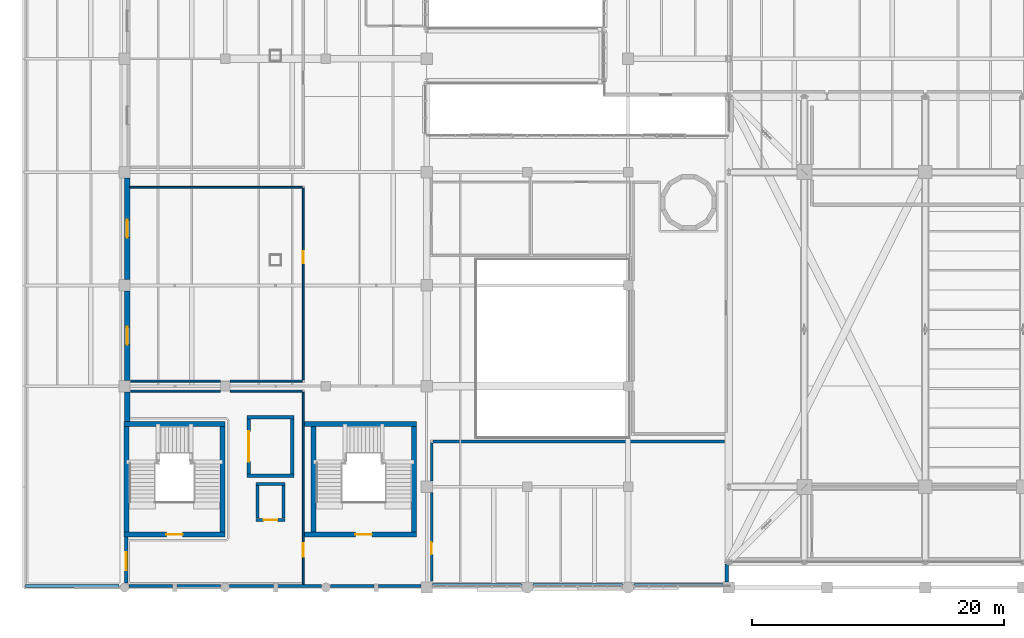
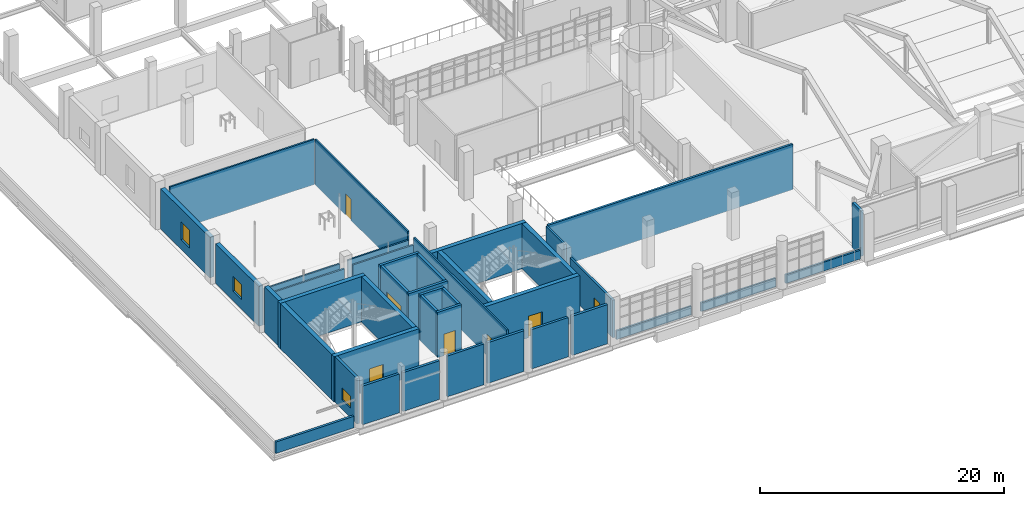
# One storey, part 109 of 127: 41 walls, 7 doors, 3 windows, 10 openings.
"""IFC4 building model written with IfcOpenShell, lengths in metres."""

import ifcopenshell
import ifcopenshell.guid

model = None  # the IFC model being written
_history = None  # IfcOwnerHistory: only IFC2X3 demands one
_inside = {}  # id of a spatial element -> (the spatial element, [elements in it])
_under = {}  # id of a project, library or spatial element -> (it, [spatial elements below it])
_declared = {}  # id of a project -> (the project, [libraries it declares])
_typed = {}  # id of a type object -> (the type object, [elements of that type])
_made_of = {}  # id of a material, layer set ... -> (it, [elements and type objects made of it])


def new_model(schema):
    """Start an empty IFC model of exactly this schema.

    Asked for "IFC4X3", IfcOpenShell would pick the latest addendum, in which some entities
    have other attributes; the version numbers below select the first issue.
    IFC2X3 requires an IfcOwnerHistory on every rooted entity: one is made here for all.
    """
    global model, _history
    if schema == "IFC4X3":
        model = ifcopenshell.file(schema_version=(4, 3, 0, 0))
    else:
        model = ifcopenshell.file(schema=schema)
    _inside.clear()
    _under.clear()
    _declared.clear()
    _typed.clear()
    _made_of.clear()
    _history = None
    if model.schema == "IFC2X3":
        org = make("IfcOrganization", Name="unknown")
        user = make(
            "IfcPersonAndOrganization",
            ThePerson=make("IfcPerson", FamilyName="unknown"),
            TheOrganization=org,
        )
        app = make(
            "IfcApplication",
            ApplicationDeveloper=org,
            Version="unknown",
            ApplicationFullName="unknown",
            ApplicationIdentifier="unknown",
        )
        _history = make(
            "IfcOwnerHistory",
            OwningUser=user,
            OwningApplication=app,
            ChangeAction="ADDED",
            CreationDate=0,
        )
    return model


def make(cls, **values):
    """One entity of the class cls with the attributes given. An attribute that is None is left unset."""
    return model.create_entity(
        cls, **{name: value for name, value in values.items() if value is not None}
    )


def rooted(cls, **values):
    """An entity with a GlobalId (a new one), such as an element, a storey or a relation."""
    return make(cls, GlobalId=ifcopenshell.guid.new(), OwnerHistory=_history, **values)


def si_unit(unit_type, name, prefix=None):
    """IfcSIUnit, for example si_unit("LENGTHUNIT", "METRE", prefix="MILLI")."""
    return make("IfcSIUnit", UnitType=unit_type, Prefix=prefix, Name=name)


def derived_unit(unit_type, elements):
    """IfcDerivedUnit: a product of units, each with its exponent."""
    return make(
        "IfcDerivedUnit",
        Elements=[
            make("IfcDerivedUnitElement", Unit=unit, Exponent=power)
            for unit, power in elements
        ],
        UnitType=unit_type,
    )


def assignment(units):
    """IfcUnitAssignment: the units of a project."""
    return None if units is None else make("IfcUnitAssignment", Units=units)


def point(xyz):
    """IfcCartesianPoint."""
    return None if xyz is None else make("IfcCartesianPoint", Coordinates=xyz)


def direction(xyz):
    """IfcDirection."""
    return None if xyz is None else make("IfcDirection", DirectionRatios=xyz)


def frame(location, z_axis=None, x_axis=None):
    """IfcAxis2Placement3D, a coordinate frame: its origin and axes. An axis left out is left unset."""
    return make(
        "IfcAxis2Placement3D",
        Location=point(location),
        Axis=direction(z_axis),
        RefDirection=direction(x_axis),
    )


def frame_2d(location, x_axis=None):
    """IfcAxis2Placement2D, a coordinate frame in the plane: its origin and x axis."""
    return make(
        "IfcAxis2Placement2D", Location=point(location), RefDirection=direction(x_axis)
    )


def origin():
    """The frame at (0, 0, 0) with its axes left unset."""
    return frame((0.0, 0.0, 0.0))


def place(relative_to, where):
    """IfcLocalPlacement: puts the frame where relative to a parent placement (None: the world)."""
    return make(
        "IfcLocalPlacement", PlacementRelTo=relative_to, RelativePlacement=where
    )


def context(
    kind, dimensions, precision=None, world=None, true_north=None, identifier=None
):
    """IfcGeometricRepresentationContext, for example the 3D "Model" context."""
    return make(
        "IfcGeometricRepresentationContext",
        ContextIdentifier=identifier,
        ContextType=kind,
        CoordinateSpaceDimension=dimensions,
        Precision=precision,
        WorldCoordinateSystem=world,
        TrueNorth=true_north,
    )


def subcontext(parent, identifier, kind, view, scale=None):
    """IfcGeometricRepresentationSubContext, for example "Body" below "Model"."""
    return make(
        "IfcGeometricRepresentationSubContext",
        ContextIdentifier=identifier,
        ContextType=kind,
        ParentContext=parent,
        TargetScale=scale,
        TargetView=view,
    )


def project(units=None, contexts=None):
    """IfcProject with its units and contexts."""
    return rooted(
        "IfcProject",
        Name="project",
        RepresentationContexts=contexts,
        UnitsInContext=assignment(units),
    )


def spatial(cls, under=None, at=None, **own):
    """A site, building, storey or space (cls), placed at a placement, below another one or the project."""
    s = rooted(cls, ObjectPlacement=at, **own)
    if under is not None:
        _under.setdefault(under.id(), (under, []))[1].append(s)
    return s


def profile(cls, at=None, kind="AREA", **sizes):
    """A parametric profile (cls). Its sizes go by their IFC names, for example OverallWidth=200.0."""
    return make(cls, ProfileType=kind, Position=at, **sizes)


def rectangle(**sizes):
    """IfcRectangleProfileDef."""
    return profile("IfcRectangleProfileDef", **sizes)


def extrude(swept, where, along, depth):
    """IfcExtrudedAreaSolid: the profile swept, set in the frame where, extruded along a direction by depth."""
    return make(
        "IfcExtrudedAreaSolid",
        SweptArea=swept,
        Position=where,
        ExtrudedDirection=direction(along),
        Depth=depth,
    )


def shape(context_of_items, identifier, shape_type, items):
    """IfcShapeRepresentation: the items that make up one representation, for example the "Body"."""
    return make(
        "IfcShapeRepresentation",
        ContextOfItems=context_of_items,
        RepresentationIdentifier=identifier,
        RepresentationType=shape_type,
        Items=items,
    )


def material(Name=None, Category=None):
    """IfcMaterial."""
    return make("IfcMaterial", Name=Name, Category=Category)


def layer(
    of_material, thickness, ventilated=None, Name=None, Category=None, Priority=None
):
    """IfcMaterialLayer: one layer of a wall or slab, of a material (None: an air gap)."""
    return make(
        "IfcMaterialLayer",
        Material=of_material,
        LayerThickness=thickness,
        IsVentilated=ventilated,
        Name=Name,
        Category=Category,
        Priority=Priority,
    )


def layer_set(layers, Name=None):
    """IfcMaterialLayerSet."""
    return make("IfcMaterialLayerSet", MaterialLayers=layers, LayerSetName=Name)


def made_of(thing, what):
    """Note that an element or type object is made of a material, layer set ...; save() writes the relation."""
    if what is not None:
        _made_of.setdefault(what.id(), (what, []))[1].append(thing)
    return thing


def type_object(cls, material=None, **own):
    """A type object (cls), such as IfcWallType, which elements share."""
    return made_of(rooted(cls, **own), material)


def element(
    cls,
    number,
    at=None,
    inside=None,
    cuts=None,
    type_object=None,
    material=None,
    context=None,
    identifier="Body",
    shape_type=None,
    held_by="IfcProductDefinitionShape",
    body=None,
    shapes=None,
    **own,
):
    """One element of the class cls, such as IfcWall. Its Tag is "e" and its number.

    at: its placement. inside: the storey or other place that contains it. cuts: it is an
    opening in that element (IfcRelVoidsElement). A single representation is given by context,
    identifier, shape_type and body (its items); several are given by shapes. held_by: the class
    of the entity that holds the representations. save() writes the other relations.
    """
    e = rooted(cls, Tag="e%d" % number, ObjectPlacement=at, **own)
    if body is not None:
        shapes = [shape(context, identifier, shape_type, body)]
    if shapes is not None:
        e.Representation = make(held_by, Representations=shapes)
    if inside is not None:
        _inside.setdefault(inside.id(), (inside, []))[1].append(e)
    if cuts is not None:
        rooted(
            "IfcRelVoidsElement", RelatingBuildingElement=cuts, RelatedOpeningElement=e
        )
    if type_object is not None:
        _typed.setdefault(type_object.id(), (type_object, []))[1].append(e)
    return made_of(e, material)


def fill(opening, filler):
    """IfcRelFillsElement: the door or window that sits in an opening."""
    return rooted(
        "IfcRelFillsElement",
        RelatingOpeningElement=opening,
        RelatedBuildingElement=filler,
    )


def aggregate(whole, parts):
    """IfcRelAggregates: a whole, such as a stair, and the parts it consists of."""
    return rooted("IfcRelAggregates", RelatingObject=whole, RelatedObjects=parts)


def save(model, path):
    """Write the relations noted so far, then the file.

    IfcRelAggregates (storeys below a building ...), IfcRelContainedInSpatialStructure (elements
    in a storey), IfcRelDefinesByType, IfcRelAssociatesMaterial and IfcRelDeclares: one each for
    every whole, place, type object, material and project.
    """
    for whole, parts in _under.values():
        aggregate(whole, parts)
    for where, things in _inside.values():
        rooted(
            "IfcRelContainedInSpatialStructure",
            RelatedElements=things,
            RelatingStructure=where,
        )
    for kind, things in _typed.values():
        rooted("IfcRelDefinesByType", RelatedObjects=things, RelatingType=kind)
    for what, things in _made_of.values():
        rooted("IfcRelAssociatesMaterial", RelatedObjects=things, RelatingMaterial=what)
    for by, libraries in _declared.values():
        rooted("IfcRelDeclares", RelatingContext=by, RelatedDefinitions=libraries)
    model.write(path)


model = new_model("IFC4")

# Units and contexts
model_context = context("Model", 3, precision=1e-05, world=origin(), true_north=direction((0.0, 1.0)))
body_context = subcontext(model_context, "Body", "Model", "MODEL_VIEW")
ifc_project = project(units=[si_unit("LENGTHUNIT", "METRE"), si_unit("AREAUNIT", "SQUARE_METRE"), si_unit("VOLUMEUNIT", "CUBIC_METRE"), si_unit("PLANEANGLEUNIT", "RADIAN"), si_unit("MASSUNIT", "GRAM", prefix="KILO"), derived_unit("THERMALTRANSMITTANCEUNIT", [(si_unit("POWERUNIT", "WATT"), 1), (si_unit("LENGTHUNIT", "METRE"), -2), (si_unit("THERMODYNAMICTEMPERATUREUNIT", "KELVIN"), -1)])], contexts=[model_context])

# Site, building, storey
site_placement = place(None, origin())
site = spatial("IfcSite", under=ifc_project, at=site_placement, CompositionType="ELEMENT")
building_placement = place(site_placement, origin())
building = spatial("IfcBuilding", under=site, at=building_placement, Name="Nallur Shell Playhouse", CompositionType="ELEMENT")
storey_placement = place(building_placement, frame((0.0, 0.0, 5.39990234375)))
storey = spatial("IfcBuildingStorey", under=building, at=storey_placement, Name="L02", CompositionType="ELEMENT", Elevation=5.39990234375)

# Wall, opening, door
ifc_material_1 = material(Name="Concrete M45", Category="concrete")
ifc_layer_1 = layer(ifc_material_1, 0.39990234375)
ifc_layer_set_1 = layer_set([ifc_layer_1], Name="Concrete M45")
wall_type_1 = type_object("IfcWallType", Name="WL-CORE-400", PredefinedType="SHEAR", material=ifc_layer_set_1)
wall_1_placement = place(storey_placement, frame((30.27392578125, 12.199951171875, 0.0), z_axis=(0.0, 0.0, 1.0), x_axis=(1.0, 0.0, 0.0)))
wall_1 = element("IfcWall", 1, at=wall_1_placement, inside=storey, type_object=wall_type_1, Name="Joint Core JC-1 shear wall S (L02)", PredefinedType="SHEAR", context=body_context, shape_type="SweptSolid", body=[
    extrude(rectangle(XDim=8.926025390625, YDim=0.39990234375, at=frame_2d((4.462890625, 0.0))), origin(), (0.0, 0.0, 1.0), 4.5400390625),
])
opening_1_placement = place(wall_1_placement, frame((4.075927734375, 0.0, 0.0)))
opening_1 = element("IfcOpeningElement", 2, at=opening_1_placement, cuts=wall_1, Name="Opening FD-ST1", PredefinedType="OPENING", context=body_context, shape_type="SweptSolid", body=[
    extrude(rectangle(XDim=1.300048828125, YDim=2.14990234375, at=frame_2d((0.64990234375, 1.074951171875))), frame((0.0, 0.2099609375, 0.0), z_axis=(0.0, -1.0, 0.0), x_axis=(1.0, 0.0, 0.0)), (0.0, 0.0, 1.0), 0.419921875),
])
ifc_material_2 = material(Name="Galvanised Steel Fire-Rated Stair Door", Category="steel")
door_type_1 = type_object("IfcDoorType", Name="DR-INT-STAIR-L", OperationType="SINGLE_SWING_LEFT", PredefinedType="DOOR", material=ifc_material_2)
door_1_placement = place(opening_1_placement, origin())
door_1 = element("IfcDoor", 3, at=door_1_placement, inside=storey, type_object=door_type_1, Name="Exit stair ST-01 fire door (L02)", OperationType="SINGLE_SWING_LEFT", OverallHeight=2.14990234375, OverallWidth=1.300048828125, PredefinedType="DOOR", context=body_context, shape_type="SweptSolid", body=[
    extrude(rectangle(XDim=1.300048828125, YDim=2.14990234375, at=frame_2d((0.64990234375, 1.074951171875))), frame((0.0, 0.02490234375, 0.0), z_axis=(0.0, -1.0, 0.0), x_axis=(1.0, 0.0, 0.0)), (0.0, 0.0, 1.0), 0.050048828125),
])
fill(opening_1, door_1)

# Walls
wall_2_placement = place(storey_placement, frame((39.199951171875, 21.0, 0.0), z_axis=(0.0, 0.0, 1.0), x_axis=(-1.0, 0.0, 0.0)))
element("IfcWall", 4, at=wall_2_placement, inside=storey, type_object=wall_type_1, Name="Joint Core JC-1 shear wall N (L02)", PredefinedType="SHEAR", context=body_context, shape_type="SweptSolid", body=[
    extrude(rectangle(XDim=8.926025390625, YDim=0.39990234375, at=frame_2d((4.462890625, 0.0))), origin(), (0.0, 0.0, 1.0), 4.5400390625),
])
for number, where, z_axis, x_axis, name in (
    (5, (39.0, 12.409912109375, 0.0), (0.0, 0.0, 1.0), (0.0, 1.0, 0.0), "Joint Core JC-1 shear wall E (L02)"),
    (6, (31.0, 20.7900390625, 0.0), (0.0, 0.0, 1.0), (0.0, -1.0, 0.0), "Joint Core JC-1 shear wall W (L02)"),
):
    element("IfcWall", number, at=place(storey_placement, frame(where, z_axis=z_axis, x_axis=x_axis)), inside=storey, type_object=wall_type_1, Name=name, PredefinedType="SHEAR", context=body_context, shape_type="SweptSolid", body=[
        extrude(rectangle(XDim=8.380126953125, YDim=0.39990234375, at=frame_2d((4.18994140625, 0.0))), origin(), (0.0, 0.0, 1.0), 4.5400390625),
    ])

# Wall, opening, door
wall_3_placement = place(storey_placement, frame((15.949951171875, 12.199951171875, 0.0), z_axis=(0.0, 0.0, 1.0), x_axis=(1.0, 0.0, 0.0)))
wall_3 = element("IfcWall", 7, at=wall_3_placement, inside=storey, type_object=wall_type_1, Name="Joint Core JC-7 shear wall S (L02)", PredefinedType="SHEAR", context=body_context, shape_type="SweptSolid", body=[
    extrude(rectangle(XDim=8.050048828125, YDim=0.39990234375, at=frame_2d((4.02490234375, 0.0))), origin(), (0.0, 0.0, 1.0), 4.5400390625),
])
opening_2_placement = place(wall_3_placement, frame((3.375, 0.0, 0.0)))
opening_2 = element("IfcOpeningElement", 8, at=opening_2_placement, cuts=wall_3, Name="Opening FD-ST2", PredefinedType="OPENING", context=body_context, shape_type="SweptSolid", body=[
    extrude(rectangle(XDim=1.300048828125, YDim=2.14990234375, at=frame_2d((0.64990234375, 1.074951171875))), frame((0.0, 0.2099609375, 0.0), z_axis=(0.0, -1.0, 0.0), x_axis=(1.0, 0.0, 0.0)), (0.0, 0.0, 1.0), 0.419921875),
])
door_type_2 = type_object("IfcDoorType", Name="DR-INT-STAIR-R", OperationType="SINGLE_SWING_RIGHT", PredefinedType="DOOR", material=ifc_material_2)
door_2_placement = place(opening_2_placement, origin())
door_2 = element("IfcDoor", 9, at=door_2_placement, inside=storey, type_object=door_type_2, Name="Exit stair ST-07 fire door (L02)", OperationType="SINGLE_SWING_RIGHT", OverallHeight=2.14990234375, OverallWidth=1.300048828125, PredefinedType="DOOR", context=body_context, shape_type="SweptSolid", body=[
    extrude(rectangle(XDim=1.300048828125, YDim=2.14990234375, at=frame_2d((0.64990234375, 1.074951171875))), frame((0.0, 0.02490234375, 0.0), z_axis=(0.0, -1.0, 0.0), x_axis=(1.0, 0.0, 0.0)), (0.0, 0.0, 1.0), 0.050048828125),
])
fill(opening_2, door_2)

# Walls
wall_4_placement = place(storey_placement, frame((24.0, 21.0, 0.0), z_axis=(0.0, 0.0, 1.0), x_axis=(-1.0, 0.0, 0.0)))
element("IfcWall", 10, at=wall_4_placement, inside=storey, type_object=wall_type_1, Name="Joint Core JC-7 shear wall N (L02)", PredefinedType="SHEAR", context=body_context, shape_type="SweptSolid", body=[
    extrude(rectangle(XDim=8.050048828125, YDim=0.39990234375, at=frame_2d((4.02490234375, 0.0))), origin(), (0.0, 0.0, 1.0), 4.5400390625),
])
for number, where, z_axis, x_axis, name in (
    (11, (23.800048828125, 12.409912109375, 0.0), (0.0, 0.0, 1.0), (0.0, 1.0, 0.0), "Joint Core JC-7 shear wall E (L02)"),
    (12, (16.14990234375, 20.7900390625, 0.0), (0.0, 0.0, 1.0), (0.0, -1.0, 0.0), "Joint Core JC-7 shear wall W (L02)"),
):
    element("IfcWall", number, at=place(storey_placement, frame(where, z_axis=z_axis, x_axis=x_axis)), inside=storey, type_object=wall_type_1, Name=name, PredefinedType="SHEAR", context=body_context, shape_type="SweptSolid", body=[
        extrude(rectangle(XDim=8.380126953125, YDim=0.39990234375, at=frame_2d((4.18994140625, 0.0))), origin(), (0.0, 0.0, 1.0), 4.5400390625),
    ])
ifc_material_3 = material(Name="Precast concrete M40", Category="concrete")
ifc_layer_2 = layer(ifc_material_3, 0.239990234375)
ifc_layer_set_2 = layer_set([ifc_layer_2], Name="Precast concrete M40")
wall_type_2 = type_object("IfcWallType", Name="WL-EXT-CLAD240", PredefinedType="ELEMENTEDWALL", material=ifc_layer_set_2)
wall_5_placement = place(storey_placement, frame((39.5419921875, 8.139892578125, 0.0), z_axis=(0.0, 0.0, 1.0), x_axis=(-1.0, 0.0, 0.0)))
element("IfcWall", 13, at=wall_5_placement, inside=storey, type_object=wall_type_2, Name="L02 exterior wall EW-L02-112", PredefinedType="ELEMENTEDWALL", context=body_context, shape_type="SweptSolid", body=[
    extrude(rectangle(XDim=3.369873046875, YDim=0.239990234375, at=frame_2d((1.68505859375, 0.0))), origin(), (0.0, 0.0, 1.0), 3.925048828125),
])
wall_6_placement = place(storey_placement, frame((35.827880859375, 8.139892578125, 0.0), z_axis=(0.0, 0.0, 1.0), x_axis=(-1.0, 0.0, 0.0)))
element("IfcWall", 14, at=wall_6_placement, inside=storey, type_object=wall_type_2, Name="L02 exterior wall EW-L02-113", PredefinedType="ELEMENTEDWALL", context=body_context, shape_type="SweptSolid", body=[
    extrude(rectangle(XDim=3.469970703125, YDim=0.239990234375, at=frame_2d((1.73486328125, 0.0))), origin(), (0.0, 0.0, 1.0), 3.925048828125),
])
for number, where, z_axis, x_axis, name in (
    (15, (31.64208984375, 8.139892578125, 0.0), (0.0, 0.0, 1.0), (-1.0, 0.0, 0.0), "L02 exterior wall EW-L02-114"),
    (16, (27.827880859375, 8.139892578125, 0.0), (0.0, 0.0, 1.0), (-1.0, 0.0, 0.0), "L02 exterior wall EW-L02-115"),
):
    element("IfcWall", number, at=place(storey_placement, frame(where, z_axis=z_axis, x_axis=x_axis)), inside=storey, type_object=wall_type_2, Name=name, PredefinedType="ELEMENTEDWALL", context=body_context, shape_type="SweptSolid", body=[
        extrude(rectangle(XDim=3.469970703125, YDim=0.239990234375, at=frame_2d((1.73486328125, 0.0))), origin(), (0.0, 0.0, 1.0), 4.0751953125),
    ])
for number, where, z_axis, x_axis, name in (
    (17, (23.64208984375, 8.139892578125, 0.0), (0.0, 0.0, 1.0), (-1.0, 0.0, 0.0), "L02 exterior wall EW-L02-116"),
    (18, (19.827880859375, 8.139892578125, 0.0), (0.0, 0.0, 1.0), (-1.0, 0.0, 0.0), "L02 exterior wall EW-L02-117"),
):
    element("IfcWall", number, at=place(storey_placement, frame(where, z_axis=z_axis, x_axis=x_axis)), inside=storey, type_object=wall_type_2, Name=name, PredefinedType="ELEMENTEDWALL", context=body_context, shape_type="SweptSolid", body=[
        extrude(rectangle(XDim=3.469970703125, YDim=0.239990234375, at=frame_2d((1.73486328125, 0.0))), origin(), (0.0, 0.0, 1.0), 3.875),
    ])

# Wall, opening, window
wall_7_placement = place(storey_placement, frame((16.139892578125, 8.35791015625, 0.0), z_axis=(0.0, 0.0, 1.0), x_axis=(0.0, 1.0, 0.0)))
wall_7 = element("IfcWall", 19, at=wall_7_placement, inside=storey, type_object=wall_type_2, Name="L02 exterior wall EW-L02-118", PredefinedType="ELEMENTEDWALL", context=body_context, shape_type="SweptSolid", body=[
    extrude(rectangle(XDim=3.63818359375, YDim=0.239990234375, at=frame_2d((1.819091796875, 0.0))), origin(), (0.0, 0.0, 1.0), 4.5400390625),
])
opening_3_placement = place(wall_7_placement, frame((1.031005859375, 0.0, 0.949951171875)))
opening_3 = element("IfcOpeningElement", 20, at=opening_3_placement, cuts=wall_7, Name="Opening WN-13", PredefinedType="OPENING", context=body_context, shape_type="SweptSolid", body=[
    extrude(rectangle(XDim=1.39990234375, YDim=1.199951171875, at=frame_2d((0.699951171875, 0.60009765625))), frame((0.0, 0.1298828125, 0.0), z_axis=(0.0, -1.0, 0.0), x_axis=(1.0, 0.0, 0.0)), (0.0, 0.0, 1.0), 0.260009765625),
])
ifc_material_4 = material(Name="Thermally Broken Aluminium Acoustic Double-Glazed Window", Category="aluminium")
window_type_1 = type_object("IfcWindowType", Name="WN-TYPE-13", PartitioningType="SINGLE_PANEL", PredefinedType="WINDOW", material=ifc_material_4)
window_1_placement = place(opening_3_placement, origin())
window_1 = element("IfcWindow", 21, at=window_1_placement, inside=storey, type_object=window_type_1, Name="L02 facade module window 045", OverallHeight=1.199951171875, OverallWidth=1.39990234375, PartitioningType="SINGLE_PANEL", PredefinedType="WINDOW", context=body_context, shape_type="SweptSolid", body=[
    extrude(rectangle(XDim=1.39990234375, YDim=1.199951171875, at=frame_2d((0.699951171875, 0.60009765625))), frame((0.0, 0.030029296875, 0.0), z_axis=(0.0, -1.0, 0.0), x_axis=(1.0, 0.0, 0.0)), (0.0, 0.0, 1.0), 0.06005859375),
])
fill(opening_3, window_1)

# Walls
ifc_layer_3 = layer(ifc_material_3, 0.260009765625)
ifc_layer_set_3 = layer_set([ifc_layer_3], Name="Precast concrete M40")
wall_type_3 = type_object("IfcWallType", Name="WL-EXT-CLAD260", PredefinedType="ELEMENTEDWALL", material=ifc_layer_set_3)
wall_8_placement = place(storey_placement, frame((63.85009765625, 9.860107421875, 0.0), z_axis=(0.0, 0.0, 1.0), x_axis=(0.0, -1.0, 0.0)))
element("IfcWall", 22, at=wall_8_placement, inside=storey, type_object=wall_type_3, Name="L02 exterior wall EW-L02-111", PredefinedType="ELEMENTEDWALL", context=body_context, shape_type="SweptSolid", body=[
    extrude(rectangle(XDim=1.402099609375, YDim=0.260009765625, at=frame_2d((0.701171875, 0.0))), origin(), (0.0, 0.0, 1.0), 4.5400390625),
])
ifc_material_5 = material(Name="Concrete M40", Category="concrete")
ifc_layer_4 = layer(ifc_material_5, 0.39990234375)
ifc_layer_set_4 = layer_set([ifc_layer_4], Name="Concrete M40")
wall_type_4 = type_object("IfcWallType", Name="WL-EXT-RC400", PredefinedType="STANDARD", material=ifc_layer_set_4)
wall_9_placement = place(storey_placement, frame((16.219970703125, 21.2041015625, 0.0), z_axis=(0.0, 0.0, 1.0), x_axis=(0.0, 1.0, 0.0)))
element("IfcWall", 23, at=wall_9_placement, inside=storey, type_object=wall_type_4, Name="L02 exterior wall EW-L02-119", PredefinedType="STANDARD", context=body_context, shape_type="SweptSolid", body=[
    extrude(rectangle(XDim=2.337890625, YDim=0.39990234375, at=frame_2d((1.1689453125, 0.0))), origin(), (0.0, 0.0, 1.0), 4.5400390625),
])

# Wall, opening, window
wall_10_placement = place(storey_placement, frame((16.219970703125, 24.4580078125, 0.0), z_axis=(0.0, 0.0, 1.0), x_axis=(0.0, 1.0, 0.0)))
wall_10 = element("IfcWall", 24, at=wall_10_placement, inside=storey, type_object=wall_type_4, Name="L02 exterior wall EW-L02-120", PredefinedType="STANDARD", context=body_context, shape_type="SweptSolid", body=[
    extrude(rectangle(XDim=7.083984375, YDim=0.39990234375, at=frame_2d((3.5419921875, 0.0))), origin(), (0.0, 0.0, 1.0), 3.97509765625),
])
opening_4_placement = place(wall_10_placement, frame((2.842041015625, 0.0, 0.949951171875)))
opening_4 = element("IfcOpeningElement", 25, at=opening_4_placement, cuts=wall_10, Name="Opening WN-14", PredefinedType="OPENING", context=body_context, shape_type="SweptSolid", body=[
    extrude(rectangle(XDim=1.39990234375, YDim=1.5, at=frame_2d((0.699951171875, 0.75))), frame((0.0, 0.2099609375, 0.0), z_axis=(0.0, -1.0, 0.0), x_axis=(1.0, 0.0, 0.0)), (0.0, 0.0, 1.0), 0.419921875),
])
window_type_2 = type_object("IfcWindowType", Name="WN-TYPE-14", PartitioningType="SINGLE_PANEL", PredefinedType="WINDOW", material=ifc_material_4)
window_2_placement = place(opening_4_placement, origin())
window_2 = element("IfcWindow", 26, at=window_2_placement, inside=storey, type_object=window_type_2, Name="L02 facade module window 046", OverallHeight=1.5, OverallWidth=1.39990234375, PartitioningType="SINGLE_PANEL", PredefinedType="WINDOW", context=body_context, shape_type="SweptSolid", body=[
    extrude(rectangle(XDim=1.39990234375, YDim=1.5, at=frame_2d((0.699951171875, 0.75))), frame((0.0, 0.030029296875, 0.0), z_axis=(0.0, -1.0, 0.0), x_axis=(1.0, 0.0, 0.0)), (0.0, 0.0, 1.0), 0.06005859375),
])
fill(opening_4, window_2)

wall_11_placement = place(storey_placement, frame((16.219970703125, 32.4580078125, 0.0), z_axis=(0.0, 0.0, 1.0), x_axis=(0.0, 1.0, 0.0)))
wall_11 = element("IfcWall", 27, at=wall_11_placement, inside=storey, type_object=wall_type_4, Name="L02 exterior wall EW-L02-121", PredefinedType="STANDARD", context=body_context, shape_type="SweptSolid", body=[
    extrude(rectangle(XDim=8.083984375, YDim=0.39990234375, at=frame_2d((4.0419921875, 0.0))), origin(), (0.0, 0.0, 1.0), 4.025146484375),
])
opening_5_placement = place(wall_11_placement, frame((3.342041015625, 0.0, 0.949951171875)))
opening_5 = element("IfcOpeningElement", 28, at=opening_5_placement, cuts=wall_11, Name="Opening WN-15", PredefinedType="OPENING", context=body_context, shape_type="SweptSolid", body=[
    extrude(rectangle(XDim=1.39990234375, YDim=1.800048828125, at=frame_2d((0.699951171875, 0.89990234375))), frame((0.0, 0.2099609375, 0.0), z_axis=(0.0, -1.0, 0.0), x_axis=(1.0, 0.0, 0.0)), (0.0, 0.0, 1.0), 0.419921875),
])
window_type_3 = type_object("IfcWindowType", Name="WN-TYPE-15", PartitioningType="SINGLE_PANEL", PredefinedType="WINDOW", material=ifc_material_4)
window_3_placement = place(opening_5_placement, origin())
window_3 = element("IfcWindow", 29, at=window_3_placement, inside=storey, type_object=window_type_3, Name="L02 facade module window 047", OverallHeight=1.800048828125, OverallWidth=1.39990234375, PartitioningType="SINGLE_PANEL", PredefinedType="WINDOW", context=body_context, shape_type="SweptSolid", body=[
    extrude(rectangle(XDim=1.39990234375, YDim=1.800048828125, at=frame_2d((0.699951171875, 0.89990234375))), frame((0.0, 0.030029296875, 0.0), z_axis=(0.0, -1.0, 0.0), x_axis=(1.0, 0.0, 0.0)), (0.0, 0.0, 1.0), 0.06005859375),
])
fill(opening_5, window_3)

# Walls
ifc_material_6 = material(Name="Concrete M35", Category="concrete")
ifc_layer_5 = layer(ifc_material_6, 0.179931640625)
ifc_layer_set_5 = layer_set([ifc_layer_5], Name="Concrete M35")
wall_type_5 = type_object("IfcWallType", Name="WL-PARAPET-180", PredefinedType="PARAPET", material=ifc_layer_set_5)
for number, where, z_axis, x_axis, name in (
    (30, (63.5400390625, 8.239990234375, 0.0), (0.0, 0.0, 1.0), (-1.0, 0.0, 0.0), "L02 curtain-wall internal spandrel upstand 021"),
    (31, (55.5400390625, 8.239990234375, 0.0), (0.0, 0.0, 1.0), (-1.0, 0.0, 0.0), "L02 curtain-wall internal spandrel upstand 022"),
    (32, (47.5400390625, 8.239990234375, 0.0), (0.0, 0.0, 1.0), (-1.0, 0.0, 0.0), "L02 curtain-wall internal spandrel upstand 023"),
):
    element("IfcWall", number, at=place(storey_placement, frame(where, z_axis=z_axis, x_axis=x_axis)), inside=storey, type_object=wall_type_5, Name=name, PredefinedType="PARAPET", context=body_context, shape_type="SweptSolid", body=[
        extrude(rectangle(XDim=7.080078125, YDim=0.179931640625, at=frame_2d((3.5400390625, 0.0))), origin(), (0.0, 0.0, 1.0), 0.880126953125),
    ])
ifc_layer_6 = layer(ifc_material_6, 0.219970703125)
ifc_layer_set_6 = layer_set([ifc_layer_6], Name="Concrete M35")
wall_type_6 = type_object("IfcWallType", Name="WL-PARAPET-220", PredefinedType="PARAPET", material=ifc_layer_set_6)
wall_12_placement = place(storey_placement, frame((15.550048828125, 8.1298828125, 0.0), z_axis=(0.0, 0.0, 1.0), x_axis=(-1.0, 0.0, 0.0)))
element("IfcWall", 33, at=wall_12_placement, inside=storey, type_object=wall_type_6, Name="L02 concrete roof parapet PAR-006", PredefinedType="PARAPET", context=body_context, shape_type="SweptSolid", body=[
    extrude(rectangle(XDim=7.400146484375, YDim=0.219970703125, at=frame_2d((3.7001953125, 0.0))), origin(), (0.0, 0.0, 1.0), 1.150146484375),
])
ifc_material_7 = material(Name="Concrete M30", Category="concrete")
ifc_layer_7 = layer(ifc_material_7, 0.199951171875)
ifc_layer_set_7 = layer_set([ifc_layer_7], Name="Concrete M30")
wall_type_7 = type_object("IfcWallType", Name="WL-PART-AC200", PredefinedType="PARTITIONING", material=ifc_layer_set_7)
wall_13_placement = place(storey_placement, frame((40.52001953125, 19.60009765625, 0.0), z_axis=(0.0, 0.0, 1.0), x_axis=(1.0, 0.0, 0.0)))
element("IfcWall", 34, at=wall_13_placement, inside=storey, type_object=wall_type_7, Name="Monsoon Atrium Stalls Mezzanine partition IW-L02-0146", PredefinedType="PARTITIONING", context=body_context, shape_type="SweptSolid", body=[
    extrude(rectangle(XDim=23.159912109375, YDim=0.199951171875, at=frame_2d((11.580078125, 0.0))), origin(), (0.0, 0.0, 1.0), 4.530029296875),
])

# Wall, opening, door
wall_14_placement = place(storey_placement, frame((40.39990234375, 8.52001953125, 0.0), z_axis=(0.0, 0.0, 1.0), x_axis=(0.0, 1.0, 0.0)))
wall_14 = element("IfcWall", 35, at=wall_14_placement, inside=storey, type_object=wall_type_7, Name="Monsoon Atrium Stalls Mezzanine partition IW-L02-0147", PredefinedType="PARTITIONING", context=body_context, shape_type="SweptSolid", body=[
    extrude(rectangle(XDim=7.014892578125, YDim=0.199951171875, at=frame_2d((3.50732421875, 0.0))), origin(), (0.0, 0.0, 1.0), 3.77001953125),
])
opening_6_placement = place(wall_14_placement, frame((2.123046875, 0.0, 0.0)))
opening_6 = element("IfcOpeningElement", 36, at=opening_6_placement, cuts=wall_14, Name="Opening ID-04", PredefinedType="OPENING", context=body_context, shape_type="SweptSolid", body=[
    extrude(rectangle(XDim=0.949951171875, YDim=2.14990234375, at=frame_2d((0.47509765625, 1.074951171875))), frame((0.0, 0.10986328125, 0.0), z_axis=(0.0, -1.0, 0.0), x_axis=(1.0, 0.0, 0.0)), (0.0, 0.0, 1.0), 0.219970703125),
])
ifc_material_8 = material(Name="Solid-Core Engineered Timber Door", Category="wood")
door_type_3 = type_object("IfcDoorType", Name="DR-INT-SGL950R", OperationType="SINGLE_SWING_RIGHT", PredefinedType="DOOR", material=ifc_material_8)
door_3_placement = place(opening_6_placement, origin())
door_3 = element("IfcDoor", 37, at=door_3_placement, inside=storey, type_object=door_type_3, Name="Monsoon Atrium Stalls Mezzanine door 1", OperationType="SINGLE_SWING_RIGHT", OverallHeight=2.14990234375, OverallWidth=0.949951171875, PredefinedType="DOOR", context=body_context, shape_type="SweptSolid", body=[
    extrude(rectangle(XDim=0.949951171875, YDim=2.14990234375, at=frame_2d((0.47509765625, 1.074951171875))), frame((0.0, 0.02490234375, 0.0), z_axis=(0.0, -1.0, 0.0), x_axis=(1.0, 0.0, 0.0)), (0.0, 0.0, 1.0), 0.050048828125),
])
fill(opening_6, door_3)

# Walls
wall_15_placement = place(storey_placement, frame((40.39990234375, 16.465087890625, 0.0), z_axis=(0.0, 0.0, 1.0), x_axis=(0.0, 1.0, 0.0)))
element("IfcWall", 38, at=wall_15_placement, inside=storey, type_object=wall_type_7, Name="Monsoon Atrium Stalls Mezzanine partition IW-L02-0148", PredefinedType="PARTITIONING", context=body_context, shape_type="SweptSolid", body=[
    extrude(rectangle(XDim=3.014892578125, YDim=0.199951171875, at=frame_2d((1.50732421875, 0.0))), origin(), (0.0, 0.0, 1.0), 4.530029296875),
])
ifc_material_9 = material(Name="Concrete M25 Fire Blockwork", Category="masonry")
ifc_layer_8 = layer(ifc_material_9, 0.14990234375)
ifc_layer_set_8 = layer_set([ifc_layer_8], Name="Concrete M25 Fire Blockwork")
wall_type_8 = type_object("IfcWallType", Name="WL-PART-FR150", PredefinedType="PARTITIONING", material=ifc_layer_set_8)
wall_16_placement = place(storey_placement, frame((16.424072265625, 39.800048828125, 0.0), z_axis=(0.0, 0.0, 1.0), x_axis=(1.0, 0.0, 0.0)))
element("IfcWall", 39, at=wall_16_placement, inside=storey, type_object=wall_type_8, Name="Ensemble Chorus Dressing Room A partition IW-L02-0160", PredefinedType="PARTITIONING", context=body_context, shape_type="SweptSolid", body=[
    extrude(rectangle(XDim=13.680908203125, YDim=0.14990234375, at=frame_2d((6.84033203125, 0.0))), origin(), (0.0, 0.0, 1.0), 4.530029296875),
])

# Wall, opening, door
wall_17_placement = place(storey_placement, frame((30.199951171875, 39.705078125, 0.0), z_axis=(0.0, 0.0, 1.0), x_axis=(0.0, -1.0, 0.0)))
wall_17 = element("IfcWall", 40, at=wall_17_placement, inside=storey, type_object=wall_type_8, Name="Ensemble Chorus Dressing Room A partition IW-L02-0161", PredefinedType="PARTITIONING", context=body_context, shape_type="SweptSolid", body=[
    extrude(rectangle(XDim=15.2099609375, YDim=0.14990234375, at=frame_2d((7.60498046875, 0.0))), origin(), (0.0, 0.0, 1.0), 4.530029296875),
])
opening_7_placement = place(wall_17_placement, frame((4.990966796875, 0.0, 0.0)))
opening_7 = element("IfcOpeningElement", 41, at=opening_7_placement, cuts=wall_17, Name="Opening ID-03", PredefinedType="OPENING", context=body_context, shape_type="SweptSolid", body=[
    extrude(rectangle(XDim=0.949951171875, YDim=2.14990234375, at=frame_2d((0.47509765625, 1.074951171875))), frame((0.0, 0.0849609375, 0.0), z_axis=(0.0, -1.0, 0.0), x_axis=(1.0, 0.0, 0.0)), (0.0, 0.0, 1.0), 0.169921875),
])
door_type_4 = type_object("IfcDoorType", Name="DR-INT-SGL950L", OperationType="SINGLE_SWING_LEFT", PredefinedType="DOOR", material=ifc_material_8)
door_4_placement = place(opening_7_placement, origin())
door_4 = element("IfcDoor", 42, at=door_4_placement, inside=storey, type_object=door_type_4, Name="Ensemble Chorus Dressing Room A door 1", OperationType="SINGLE_SWING_LEFT", OverallHeight=2.14990234375, OverallWidth=0.949951171875, PredefinedType="DOOR", context=body_context, shape_type="SweptSolid", body=[
    extrude(rectangle(XDim=0.949951171875, YDim=2.14990234375, at=frame_2d((0.47509765625, 1.074951171875))), frame((0.0, 0.02490234375, 0.0), z_axis=(0.0, -1.0, 0.0), x_axis=(1.0, 0.0, 0.0)), (0.0, 0.0, 1.0), 0.050048828125),
])
fill(opening_7, door_4)

# Walls
wall_18_placement = place(storey_placement, frame((30.10498046875, 24.39990234375, 0.0), z_axis=(0.0, 0.0, 1.0), x_axis=(-1.0, 0.0, 0.0)))
element("IfcWall", 43, at=wall_18_placement, inside=storey, type_object=wall_type_8, Name="Ensemble Chorus Dressing Room A partition IW-L02-0162", PredefinedType="PARTITIONING", context=body_context, shape_type="SweptSolid", body=[
    extrude(rectangle(XDim=5.715087890625, YDim=0.14990234375, at=frame_2d((2.857421875, 0.0))), origin(), (0.0, 0.0, 1.0), 3.77001953125),
])
wall_19_placement = place(storey_placement, frame((23.610107421875, 24.39990234375, 0.0), z_axis=(0.0, 0.0, 1.0), x_axis=(-1.0, 0.0, 0.0)))
element("IfcWall", 44, at=wall_19_placement, inside=storey, type_object=wall_type_8, Name="Ensemble Chorus Dressing Room A partition IW-L02-0163", PredefinedType="PARTITIONING", context=body_context, shape_type="SweptSolid", body=[
    extrude(rectangle(XDim=7.114990234375, YDim=0.14990234375, at=frame_2d((3.5576171875, 0.0))), origin(), (0.0, 0.0, 1.0), 3.670166015625),
])

# Wall, opening, door
wall_20_placement = place(storey_placement, frame((30.199951171875, 23.5048828125, 0.0), z_axis=(0.0, 0.0, 1.0), x_axis=(0.0, -1.0, 0.0)))
wall_20 = element("IfcWall", 45, at=wall_20_placement, inside=storey, type_object=wall_type_8, Name="Wardrobe Sewing, Fitting & Wig Workshop partition IW-L02-0166", PredefinedType="PARTITIONING", context=body_context, shape_type="SweptSolid", body=[
    extrude(rectangle(XDim=15.240966796875, YDim=0.14990234375, at=frame_2d((7.62060546875, 0.0))), origin(), (0.0, 0.0, 1.0), 4.530029296875),
])
opening_8_placement = place(wall_20_placement, frame((12.006103515625, 0.0, 0.0)))
opening_8 = element("IfcOpeningElement", 46, at=opening_8_placement, cuts=wall_20, Name="Opening ID-01", PredefinedType="OPENING", context=body_context, shape_type="SweptSolid", body=[
    extrude(rectangle(XDim=1.050048828125, YDim=2.14990234375, at=frame_2d((0.52490234375, 1.074951171875))), frame((0.0, 0.0849609375, 0.0), z_axis=(0.0, -1.0, 0.0), x_axis=(1.0, 0.0, 0.0)), (0.0, 0.0, 1.0), 0.169921875),
])
ifc_material_10 = material(Name="Solid-Core Engineered Timber Fire Door", Category="wood")
door_type_5 = type_object("IfcDoorType", Name="DR-INT-SGL1050L", OperationType="SINGLE_SWING_LEFT", PredefinedType="DOOR", material=ifc_material_10)
door_5_placement = place(opening_8_placement, origin())
door_5 = element("IfcDoor", 47, at=door_5_placement, inside=storey, type_object=door_type_5, Name="Wardrobe Sewing, Fitting & Wig Workshop door 1", OperationType="SINGLE_SWING_LEFT", OverallHeight=2.14990234375, OverallWidth=1.050048828125, PredefinedType="DOOR", context=body_context, shape_type="SweptSolid", body=[
    extrude(rectangle(XDim=1.050048828125, YDim=2.14990234375, at=frame_2d((0.52490234375, 1.074951171875))), frame((0.0, 0.02490234375, 0.0), z_axis=(0.0, -1.0, 0.0), x_axis=(1.0, 0.0, 0.0)), (0.0, 0.0, 1.0), 0.050048828125),
])
fill(opening_8, door_5)

# Walls
wall_21_placement = place(storey_placement, frame((16.4951171875, 23.60009765625, 0.0), z_axis=(0.0, 0.0, 1.0), x_axis=(1.0, 0.0, 0.0)))
element("IfcWall", 48, at=wall_21_placement, inside=storey, type_object=wall_type_8, Name="Wardrobe Sewing, Fitting & Wig Workshop partition IW-L02-0167", PredefinedType="PARTITIONING", context=body_context, shape_type="SweptSolid", body=[
    extrude(rectangle(XDim=7.114990234375, YDim=0.14990234375, at=frame_2d((3.5576171875, 0.0))), origin(), (0.0, 0.0, 1.0), 3.670166015625),
])
wall_22_placement = place(storey_placement, frame((24.389892578125, 23.60009765625, 0.0), z_axis=(0.0, 0.0, 1.0), x_axis=(1.0, 0.0, 0.0)))
element("IfcWall", 49, at=wall_22_placement, inside=storey, type_object=wall_type_8, Name="Wardrobe Sewing, Fitting & Wig Workshop partition IW-L02-0168", PredefinedType="PARTITIONING", context=body_context, shape_type="SweptSolid", body=[
    extrude(rectangle(XDim=5.715087890625, YDim=0.14990234375, at=frame_2d((2.857421875, 0.0))), origin(), (0.0, 0.0, 1.0), 3.77001953125),
])

# Wall, opening, door
ifc_layer_9 = layer(ifc_material_1, 0.25)
ifc_layer_set_9 = layer_set([ifc_layer_9], Name="Concrete M45")
wall_type_9 = type_object("IfcWallType", Name="WL-SHAFT-250", PredefinedType="STANDARD", material=ifc_layer_set_9)
wall_23_placement = place(storey_placement, frame((26.449951171875, 13.375, 0.0), z_axis=(0.0, 0.0, 1.0), x_axis=(1.0, 0.0, 0.0)))
wall_23 = element("IfcWall", 50, at=wall_23_placement, inside=storey, type_object=wall_type_9, Name="Passenger Lift PL-1 shaft wall south (L02)", PredefinedType="STANDARD", context=body_context, shape_type="SweptSolid", body=[
    extrude(rectangle(XDim=2.300048828125, YDim=0.25, at=frame_2d((1.14990234375, 0.0))), origin(), (0.0, 0.0, 1.0), 4.530029296875),
])
opening_9_placement = place(wall_23_placement, frame((0.60009765625, 0.0, 0.0)))
opening_9 = element("IfcOpeningElement", 51, at=opening_9_placement, cuts=wall_23, Name="Opening LD-P1", PredefinedType="OPENING", context=body_context, shape_type="SweptSolid", body=[
    extrude(rectangle(XDim=1.10009765625, YDim=2.14990234375, at=frame_2d((0.550048828125, 1.074951171875))), frame((0.0, 0.135009765625, 0.0), z_axis=(0.0, -1.0, 0.0), x_axis=(1.0, 0.0, 0.0)), (0.0, 0.0, 1.0), 0.27001953125),
])
ifc_material_11 = material(Name="Brushed Stainless Steel Lift Landing Door", Category="steel")
door_type_6 = type_object("IfcDoorType", Name="DR-LIFT-PASS", OperationType="DOUBLE_DOOR_SLIDING", PredefinedType="DOOR", material=ifc_material_11)
door_6_placement = place(opening_9_placement, origin())
door_6 = element("IfcDoor", 52, at=door_6_placement, inside=storey, type_object=door_type_6, Name="Passenger Lift PL-1 sliding landing door (L02)", OperationType="DOUBLE_DOOR_SLIDING", OverallHeight=2.14990234375, OverallWidth=1.10009765625, PredefinedType="DOOR", context=body_context, shape_type="SweptSolid", body=[
    extrude(rectangle(XDim=1.10009765625, YDim=2.14990234375, at=frame_2d((0.550048828125, 1.074951171875))), frame((0.0, 0.02490234375, 0.0), z_axis=(0.0, -1.0, 0.0), x_axis=(1.0, 0.0, 0.0)), (0.0, 0.0, 1.0), 0.050048828125),
])
fill(opening_9, door_6)

# Walls
wall_24_placement = place(storey_placement, frame((28.75, 16.22509765625, 0.0), z_axis=(0.0, 0.0, 1.0), x_axis=(-1.0, 0.0, 0.0)))
element("IfcWall", 53, at=wall_24_placement, inside=storey, type_object=wall_type_9, Name="Passenger Lift PL-1 shaft wall north (L02)", PredefinedType="STANDARD", context=body_context, shape_type="SweptSolid", body=[
    extrude(rectangle(XDim=2.300048828125, YDim=0.25, at=frame_2d((1.14990234375, 0.0))), origin(), (0.0, 0.0, 1.0), 4.530029296875),
])
for number, where, z_axis, x_axis, name in (
    (54, (28.625, 13.510009765625, 0.0), (0.0, 0.0, 1.0), (0.0, 1.0, 0.0), "Passenger Lift PL-1 shaft wall east (L02)"),
    (55, (26.574951171875, 16.090087890625, 0.0), (0.0, 0.0, 1.0), (0.0, -1.0, 0.0), "Passenger Lift PL-1 shaft wall west (L02)"),
):
    element("IfcWall", number, at=place(storey_placement, frame(where, z_axis=z_axis, x_axis=x_axis)), inside=storey, type_object=wall_type_9, Name=name, PredefinedType="STANDARD", context=body_context, shape_type="SweptSolid", body=[
        extrude(rectangle(XDim=2.580078125, YDim=0.25, at=frame_2d((1.2900390625, 0.0))), origin(), (0.0, 0.0, 1.0), 4.530029296875),
    ])
for number, where, z_axis, x_axis, name in (
    (56, (25.75, 16.875, 0.0), (0.0, 0.0, 1.0), (1.0, 0.0, 0.0), "Scenery Freight Lift SL-1 shaft wall south (L02)"),
    (57, (29.449951171875, 21.52490234375, 0.0), (0.0, 0.0, 1.0), (-1.0, 0.0, 0.0), "Scenery Freight Lift SL-1 shaft wall north (L02)"),
):
    element("IfcWall", number, at=place(storey_placement, frame(where, z_axis=z_axis, x_axis=x_axis)), inside=storey, type_object=wall_type_9, Name=name, PredefinedType="STANDARD", context=body_context, shape_type="SweptSolid", body=[
        extrude(rectangle(XDim=3.699951171875, YDim=0.25, at=frame_2d((1.85009765625, 0.0))), origin(), (0.0, 0.0, 1.0), 4.530029296875),
    ])
wall_25_placement = place(storey_placement, frame((29.324951171875, 17.010009765625, 0.0), z_axis=(0.0, 0.0, 1.0), x_axis=(0.0, 1.0, 0.0)))
element("IfcWall", 58, at=wall_25_placement, inside=storey, type_object=wall_type_9, Name="Scenery Freight Lift SL-1 shaft wall east (L02)", PredefinedType="STANDARD", context=body_context, shape_type="SweptSolid", body=[
    extrude(rectangle(XDim=4.3798828125, YDim=0.25, at=frame_2d((2.18994140625, 0.0))), origin(), (0.0, 0.0, 1.0), 4.530029296875),
])

# Wall, opening, door
wall_26_placement = place(storey_placement, frame((25.875, 21.389892578125, 0.0), z_axis=(0.0, 0.0, 1.0), x_axis=(0.0, -1.0, 0.0)))
wall_26 = element("IfcWall", 59, at=wall_26_placement, inside=storey, type_object=wall_type_9, Name="Scenery Freight Lift SL-1 shaft wall west (L02)", PredefinedType="STANDARD", context=body_context, shape_type="SweptSolid", body=[
    extrude(rectangle(XDim=4.3798828125, YDim=0.25, at=frame_2d((2.18994140625, 0.0))), origin(), (0.0, 0.0, 1.0), 4.530029296875),
])
opening_10_placement = place(wall_26_placement, frame((0.989990234375, 0.0, 0.0)))
opening_10 = element("IfcOpeningElement", 60, at=opening_10_placement, cuts=wall_26, Name="Opening LD-S1", PredefinedType="OPENING", context=body_context, shape_type="SweptSolid", body=[
    extrude(rectangle(XDim=2.39990234375, YDim=2.550048828125, at=frame_2d((1.199951171875, 1.27490234375))), frame((0.0, 0.135009765625, 0.0), z_axis=(0.0, -1.0, 0.0), x_axis=(1.0, 0.0, 0.0)), (0.0, 0.0, 1.0), 0.27001953125),
])
ifc_material_12 = material(Name="Scenery Freight Lift Bi-Parting Landing Door")
door_type_7 = type_object("IfcDoorType", Name="DR-LIFT-SCEN", OperationType="DOUBLE_DOOR_SLIDING", PredefinedType="DOOR", material=ifc_material_12)
door_7_placement = place(opening_10_placement, origin())
door_7 = element("IfcDoor", 61, at=door_7_placement, inside=storey, type_object=door_type_7, Name="Scenery Freight Lift SL-1 sliding landing door (L02)", OperationType="DOUBLE_DOOR_SLIDING", OverallHeight=2.550048828125, OverallWidth=2.39990234375, PredefinedType="DOOR", context=body_context, shape_type="SweptSolid", body=[
    extrude(rectangle(XDim=2.39990234375, YDim=2.550048828125, at=frame_2d((1.199951171875, 1.27490234375))), frame((0.0, 0.02490234375, 0.0), z_axis=(0.0, -1.0, 0.0), x_axis=(1.0, 0.0, 0.0)), (0.0, 0.0, 1.0), 0.050048828125),
])
fill(opening_10, door_7)

save(model, "model.ifc")
